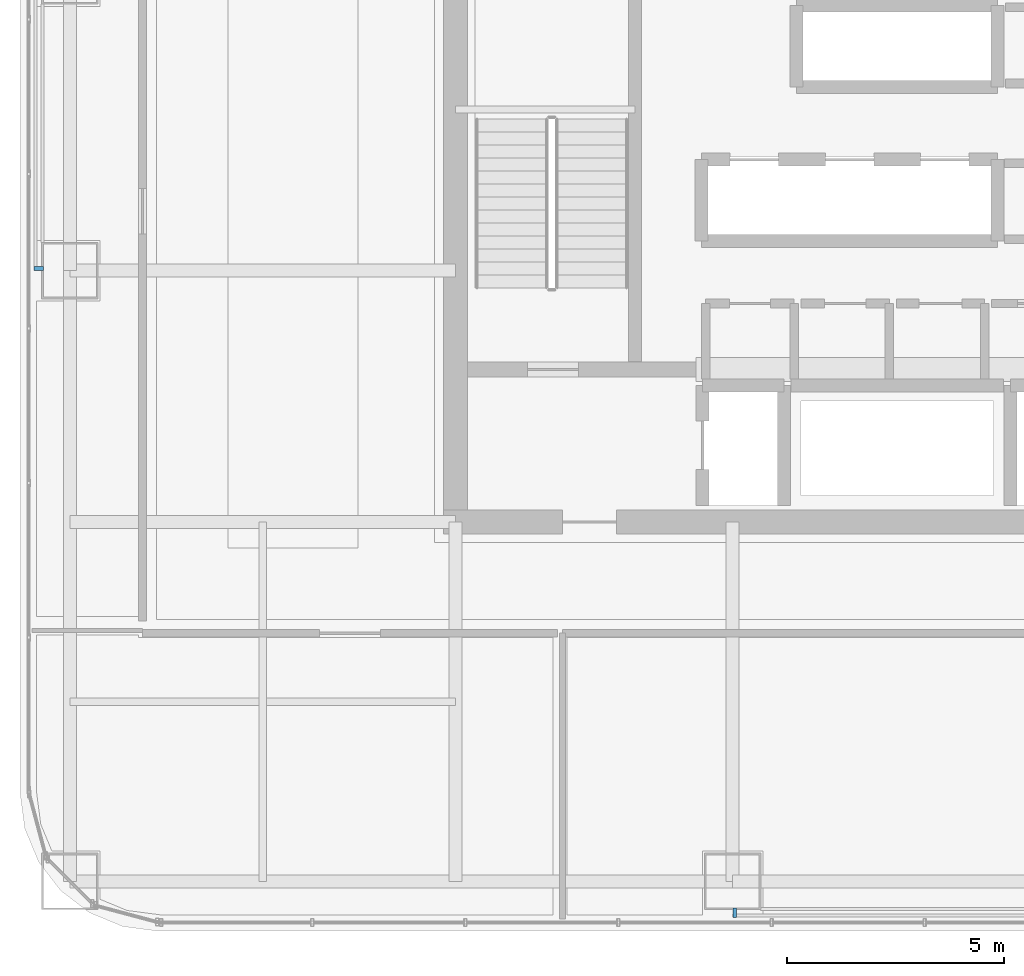
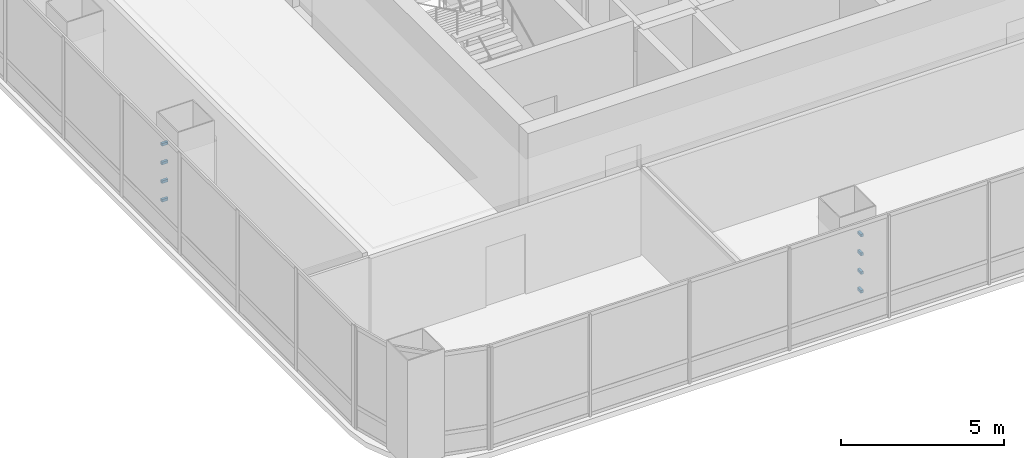
# One storey, part 36 of 42: 8 discrete accessories.
"""IFC4 building model written with IfcOpenShell, lengths in metres."""

from ifc_helpers import new_model, si_unit, direction, frame, origin, origin_2d, place, context, subcontext, project, spatial, rectangle, extrude, material, type_object, element, save


model = new_model("IFC4")

# Units and contexts
model_context = context("Model", 3, precision=1e-05, world=origin(), true_north=direction((0.0, 1.0)))
body_context = subcontext(model_context, "Body", "Model", "MODEL_VIEW")
ifc_project = project(units=[si_unit("LENGTHUNIT", "METRE"), si_unit("AREAUNIT", "SQUARE_METRE"), si_unit("VOLUMEUNIT", "CUBIC_METRE"), si_unit("PLANEANGLEUNIT", "RADIAN"), si_unit("MASSUNIT", "GRAM", prefix="KILO")], contexts=[model_context])

# Site, building, storey
site_placement = place(None, origin())
site = spatial("IfcSite", under=ifc_project, at=site_placement, CompositionType="ELEMENT")
building_placement = place(site_placement, origin())
building = spatial("IfcBuilding", under=site, at=building_placement, Name="Punatoya Terracotta Tower", CompositionType="ELEMENT")
storey_placement = place(building_placement, frame((0.0, 0.0, 255.449951171875)))
storey = spatial("IfcBuildingStorey", under=building, at=storey_placement, Name="L60", CompositionType="ELEMENT", Elevation=255.449951171875)

# Discrete accessories
ifc_material = material(Name="Steel S355", Category="steel")
discrete_accessory_type = type_object("IfcDiscreteAccessoryType", Name="ACC-BRK-220", PredefinedType="BRACKET", material=ifc_material)
for number, where, z_axis, x_axis, name in (
    (1, (-3.75, -18.219970703125, 1.10009765625), (0.0, 0.0, 1.0), (1.0, 0.0, 0.0), "L60 Baguette Louvre Column Bracket BAG-L60-S-01"),
    (2, (-3.75, -18.219970703125, 1.800048828125), (0.0, 0.0, 1.0), (1.0, 0.0, 0.0), "L60 Baguette Louvre Column Bracket BAG-L60-S-02"),
    (3, (-3.75, -18.219970703125, 2.5), (0.0, 0.0, 1.0), (1.0, 0.0, 0.0), "L60 Baguette Louvre Column Bracket BAG-L60-S-03"),
    (4, (-3.75, -18.219970703125, 3.199951171875), (0.0, 0.0, 1.0), (1.0, 0.0, 0.0), "L60 Baguette Louvre Column Bracket BAG-L60-S-04"),
    (5, (-19.820068359375, -3.35009765625, 1.10009765625), (0.0, 0.0, 1.0), (0.0, 1.0, 0.0), "L60 Baguette Louvre Column Bracket BAG-L60-W-01"),
    (6, (-19.820068359375, -3.35009765625, 1.800048828125), (0.0, 0.0, 1.0), (0.0, 1.0, 0.0), "L60 Baguette Louvre Column Bracket BAG-L60-W-02"),
    (7, (-19.820068359375, -3.35009765625, 2.5), (0.0, 0.0, 1.0), (0.0, 1.0, 0.0), "L60 Baguette Louvre Column Bracket BAG-L60-W-03"),
    (8, (-19.820068359375, -3.35009765625, 3.199951171875), (0.0, 0.0, 1.0), (0.0, 1.0, 0.0), "L60 Baguette Louvre Column Bracket BAG-L60-W-04"),
):
    element("IfcDiscreteAccessory", number, at=place(storey_placement, frame(where, z_axis=z_axis, x_axis=x_axis)), inside=storey, type_object=discrete_accessory_type, Name=name, PredefinedType="BRACKET", context=body_context, shape_type="SweptSolid", body=[
        extrude(rectangle(XDim=0.090087890625, YDim=0.219970703125, at=origin_2d()), origin(), (0.0, 0.0, 1.0), 0.10009765625),
    ])

save(model, "model.ifc")
